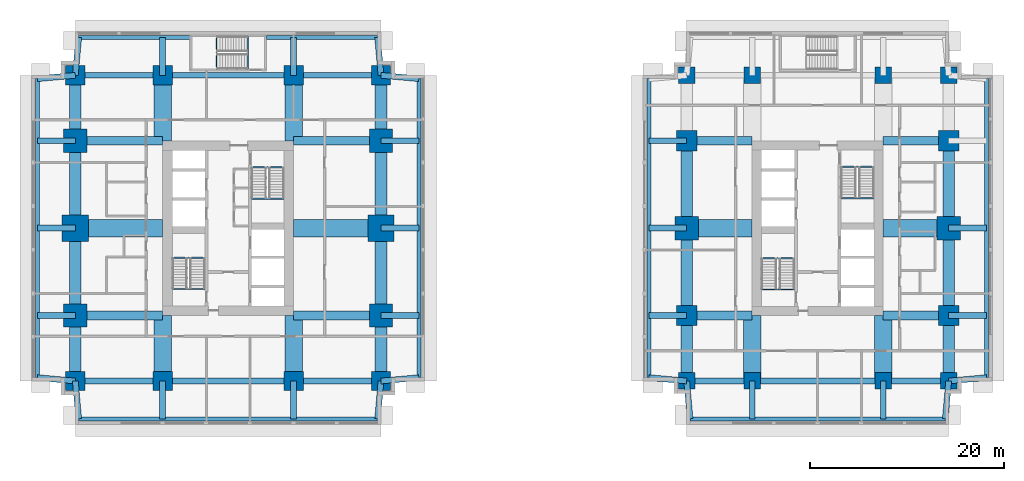
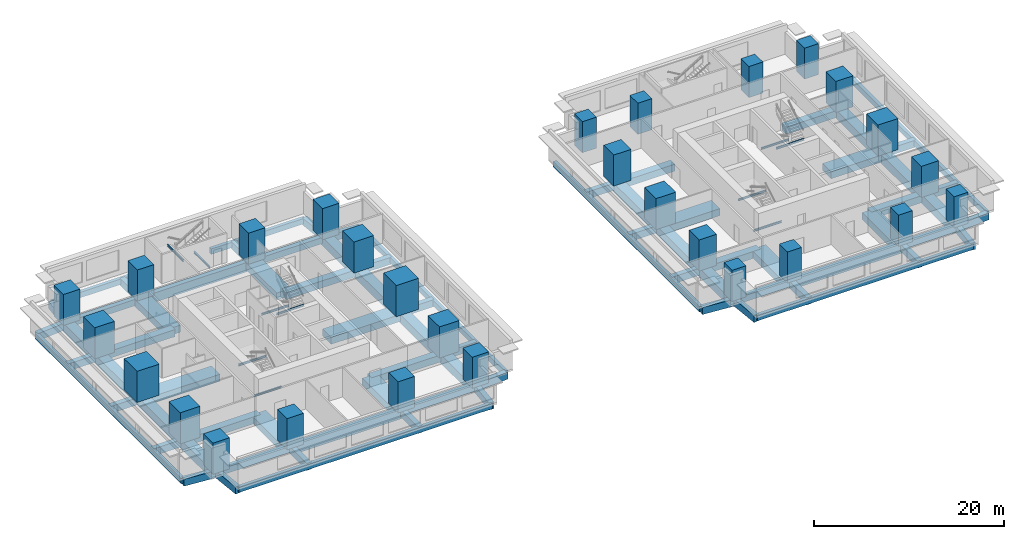
# One storey, part 1 of 11: 88 beams, 28 columns.
"""IFC4 building model written with IfcOpenShell, lengths in metres."""

from ifc_helpers import new_model, si_unit, direction, frame, origin, origin_2d, place, context, subcontext, project, spatial, rectangle, i_section, extrude, material, material_profile, profile_set, type_object, element, save


model = new_model("IFC4")

# Units and contexts
model_context = context("Model", 3, precision=1e-05, world=origin(), true_north=direction((0.0, 1.0)))
body_context = subcontext(model_context, "Body", "Model", "MODEL_VIEW")
ifc_project = project(units=[si_unit("LENGTHUNIT", "METRE"), si_unit("AREAUNIT", "SQUARE_METRE"), si_unit("VOLUMEUNIT", "CUBIC_METRE"), si_unit("PLANEANGLEUNIT", "RADIAN"), si_unit("MASSUNIT", "GRAM", prefix="KILO")], contexts=[model_context])

# Site, building, storey
site_placement = place(None, origin())
site = spatial("IfcSite", under=ifc_project, at=site_placement, CompositionType="ELEMENT")
building_placement = place(site_placement, origin())
building = spatial("IfcBuilding", under=site, at=building_placement, Name="Namib Vertical Campus", CompositionType="ELEMENT")
storey_placement = place(building_placement, frame((0.0, 0.0, 65.0)))
storey = spatial("IfcBuildingStorey", under=building, at=storey_placement, Name="L15", CompositionType="ELEMENT", Elevation=65.0)

# Columns
ifc_material_1 = material(Name="Concrete C60/75", Category="concrete")
ifc_material_profile_1 = material_profile(ifc_material_1, rectangle(XDim=1.699951171875, YDim=1.699951171875, at=origin_2d()))
ifc_profile_set_1 = profile_set([ifc_material_profile_1], Name="Concrete C60/75")
column_type_1 = type_object("IfcColumnType", Name="Column RC 1700x1700", PredefinedType="COLUMN", material=ifc_profile_set_1)
for number, where, z_axis, x_axis, name in (
    (1, (67.5, 4.5, 0.0), (0.0, 0.0, 1.0), (1.0, 0.0, 0.0), "Column C170 L15"),
    (2, (74.25, 4.5, 0.0), (0.0, 0.0, 1.0), (1.0, 0.0, 0.0), "Column C170 L15"),
    (3, (87.75, 4.5, 0.0), (0.0, 0.0, 1.0), (1.0, 0.0, 0.0), "Column C170 L15"),
    (4, (94.5, 4.5, 0.0), (0.0, 0.0, 1.0), (1.0, 0.0, 0.0), "Column C170 L15"),
    (5, (67.5, 36.0, 0.0), (0.0, 0.0, 1.0), (1.0, 0.0, 0.0), "Column C170 L15"),
    (6, (74.25, 36.0, 0.0), (0.0, 0.0, 1.0), (1.0, 0.0, 0.0), "Column C170 L15"),
    (7, (87.75, 36.0, 0.0), (0.0, 0.0, 1.0), (1.0, 0.0, 0.0), "Column C170 L15"),
    (8, (94.5, 36.0, 0.0), (0.0, 0.0, 1.0), (1.0, 0.0, 0.0), "Column C170 L15"),
):
    element("IfcColumn", number, at=place(storey_placement, frame(where, z_axis=z_axis, x_axis=x_axis)), inside=storey, type_object=column_type_1, Name=name, PredefinedType="COLUMN", context=body_context, shape_type="SweptSolid", body=[
        extrude(rectangle(XDim=1.699951171875, YDim=1.699951171875, at=origin_2d()), origin(), (0.0, 0.0, 1.0), 4.0),
    ])
ifc_material_2 = material(Name="Concrete C60/75", Category="concrete")
ifc_material_profile_2 = material_profile(ifc_material_2, rectangle(XDim=2.0, YDim=2.0, at=origin_2d()))
ifc_profile_set_2 = profile_set([ifc_material_profile_2], Name="Concrete C60/75")
column_type_2 = type_object("IfcColumnType", Name="Column RC 2000x2000", PredefinedType="COLUMN", material=ifc_profile_set_2)
for number, where, z_axis, x_axis, name in (
    (9, (4.5, 4.5, 0.0), (0.0, 0.0, 1.0), (1.0, 0.0, 0.0), "Column C200 L15"),
    (10, (13.5, 4.5, 0.0), (0.0, 0.0, 1.0), (1.0, 0.0, 0.0), "Column C200 L15"),
    (11, (27.0, 4.5, 0.0), (0.0, 0.0, 1.0), (1.0, 0.0, 0.0), "Column C200 L15"),
    (12, (36.0, 4.5, 0.0), (0.0, 0.0, 1.0), (1.0, 0.0, 0.0), "Column C200 L15"),
    (13, (4.5, 36.0, 0.0), (0.0, 0.0, 1.0), (1.0, 0.0, 0.0), "Column C200 L15"),
    (14, (13.5, 36.0, 0.0), (0.0, 0.0, 1.0), (1.0, 0.0, 0.0), "Column C200 L15"),
    (15, (27.0, 36.0, 0.0), (0.0, 0.0, 1.0), (1.0, 0.0, 0.0), "Column C200 L15"),
    (16, (36.0, 36.0, 0.0), (0.0, 0.0, 1.0), (1.0, 0.0, 0.0), "Column C200 L15"),
):
    element("IfcColumn", number, at=place(storey_placement, frame(where, z_axis=z_axis, x_axis=x_axis)), inside=storey, type_object=column_type_2, Name=name, PredefinedType="COLUMN", context=body_context, shape_type="SweptSolid", body=[
        extrude(rectangle(XDim=2.0, YDim=2.0, at=origin_2d()), origin(), (0.0, 0.0, 1.0), 4.0),
    ])
ifc_material_3 = material(Name="Concrete C60/75", Category="concrete")
ifc_material_profile_3 = material_profile(ifc_material_3, rectangle(XDim=2.10009765625, YDim=2.10009765625, at=origin_2d()))
ifc_profile_set_3 = profile_set([ifc_material_profile_3], Name="Concrete C60/75")
column_type_3 = type_object("IfcColumnType", Name="Column RC 2100x2100", PredefinedType="COLUMN", material=ifc_profile_set_3)
for number, where, z_axis, x_axis, name in (
    (17, (67.5, 11.25, 0.0), (0.0, 0.0, 1.0), (1.0, 0.0, 0.0), "Column C210 L15"),
    (18, (94.5, 11.25, 0.0), (0.0, 0.0, 1.0), (1.0, 0.0, 0.0), "Column C210 L15"),
    (19, (67.5, 29.25, 0.0), (0.0, 0.0, 1.0), (1.0, 0.0, 0.0), "Column C210 L15"),
    (20, (94.5, 29.25, 0.0), (0.0, 0.0, 1.0), (1.0, 0.0, 0.0), "Column C210 L15"),
):
    element("IfcColumn", number, at=place(storey_placement, frame(where, z_axis=z_axis, x_axis=x_axis)), inside=storey, type_object=column_type_3, Name=name, PredefinedType="COLUMN", context=body_context, shape_type="SweptSolid", body=[
        extrude(rectangle(XDim=2.10009765625, YDim=2.10009765625, at=origin_2d()), origin(), (0.0, 0.0, 1.0), 4.0),
    ])
ifc_material_4 = material(Name="Concrete C60/75", Category="concrete")
ifc_material_profile_4 = material_profile(ifc_material_4, rectangle(XDim=2.39990234375, YDim=2.39990234375, at=origin_2d()))
ifc_profile_set_4 = profile_set([ifc_material_profile_4], Name="Concrete C60/75")
column_type_4 = type_object("IfcColumnType", Name="Column RC 2400x2400", PredefinedType="COLUMN", material=ifc_profile_set_4)
for number, where, z_axis, x_axis, name in (
    (21, (4.5, 11.25, 0.0), (0.0, 0.0, 1.0), (1.0, 0.0, 0.0), "Column C240 L15"),
    (22, (36.0, 11.25, 0.0), (0.0, 0.0, 1.0), (1.0, 0.0, 0.0), "Column C240 L15"),
    (23, (4.5, 29.25, 0.0), (0.0, 0.0, 1.0), (1.0, 0.0, 0.0), "Column C240 L15"),
    (24, (36.0, 29.25, 0.0), (0.0, 0.0, 1.0), (1.0, 0.0, 0.0), "Column C240 L15"),
    (25, (67.5, 20.25, 0.0), (0.0, 0.0, 1.0), (1.0, 0.0, 0.0), "Column C240 L15"),
    (26, (94.5, 20.25, 0.0), (0.0, 0.0, 1.0), (1.0, 0.0, 0.0), "Column C240 L15"),
):
    element("IfcColumn", number, at=place(storey_placement, frame(where, z_axis=z_axis, x_axis=x_axis)), inside=storey, type_object=column_type_4, Name=name, PredefinedType="COLUMN", context=body_context, shape_type="SweptSolid", body=[
        extrude(rectangle(XDim=2.39990234375, YDim=2.39990234375, at=origin_2d()), origin(), (0.0, 0.0, 1.0), 4.0),
    ])
ifc_material_5 = material(Name="Concrete C60/75", Category="concrete")
ifc_material_profile_5 = material_profile(ifc_material_5, rectangle(XDim=2.699951171875, YDim=2.699951171875, at=origin_2d()))
ifc_profile_set_5 = profile_set([ifc_material_profile_5], Name="Concrete C60/75")
column_type_5 = type_object("IfcColumnType", Name="Column RC 2700x2700", PredefinedType="COLUMN", material=ifc_profile_set_5)
for number, where, z_axis, x_axis, name in (
    (27, (4.5, 20.25, 0.0), (0.0, 0.0, 1.0), (1.0, 0.0, 0.0), "Column C270 L15"),
    (28, (36.0, 20.25, 0.0), (0.0, 0.0, 1.0), (1.0, 0.0, 0.0), "Column C270 L15"),
):
    element("IfcColumn", number, at=place(storey_placement, frame(where, z_axis=z_axis, x_axis=x_axis)), inside=storey, type_object=column_type_5, Name=name, PredefinedType="COLUMN", context=body_context, shape_type="SweptSolid", body=[
        extrude(rectangle(XDim=2.699951171875, YDim=2.699951171875, at=origin_2d()), origin(), (0.0, 0.0, 1.0), 4.0),
    ])

# Beams
ifc_material_6 = material(Name="Concrete C40/50", Category="concrete")
ifc_material_profile_6 = material_profile(ifc_material_6, rectangle(XDim=0.60009765625, YDim=0.89990234375, at=origin_2d()))
ifc_profile_set_6 = profile_set([ifc_material_profile_6], Name="Concrete C40/50")
beam_type_1 = type_object("IfcBeamType", Name="Cantilever girder RC 600x900", PredefinedType="BEAM", material=ifc_profile_set_6)
beam_1_placement = place(storey_placement, frame((4.5, 4.5, -0.699951171875), z_axis=(0.089411326146, -0.995994786511, 0.0), x_axis=(0.995994786511, 0.089411326146, 0.0)))
element("IfcBeam", 29, at=beam_1_placement, inside=storey, type_object=beam_type_1, Name="Beam B3 L15", PredefinedType="BEAM", context=body_context, shape_type="SweptSolid", body=[
    extrude(rectangle(XDim=0.60009765625, YDim=0.89990234375, at=origin_2d()), origin(), (0.0, 0.0, 1.0), 3.91552734375),
])
for number, where, z_axis, x_axis, name in (
    (30, (13.5, 4.5, -0.699951171875), (0.0, -1.0, 0.0), (1.0, 0.0, 0.0), "Beam B3 L15"),
    (31, (27.0, 4.5, -0.699951171875), (0.0, -1.0, 0.0), (1.0, 0.0, 0.0), "Beam B3 L15"),
):
    element("IfcBeam", number, at=place(storey_placement, frame(where, z_axis=z_axis, x_axis=x_axis)), inside=storey, type_object=beam_type_1, Name=name, PredefinedType="BEAM", context=body_context, shape_type="SweptSolid", body=[
        extrude(rectangle(XDim=0.60009765625, YDim=0.89990234375, at=origin_2d()), origin(), (0.0, 0.0, 1.0), 3.89990234375),
    ])
for number, where, z_axis, x_axis, name in (
    (32, (36.0, 4.5, -0.699951171875), (-0.089411326146, -0.995994786511, 0.0), (0.995994786511, -0.089411326146, 0.0), "Beam B3 L15"),
    (33, (4.5, 36.0, -0.699951171875), (0.089411326146, 0.995994786511, 0.0), (-0.995994786511, 0.089411326146, 0.0), "Beam B3 L15"),
):
    element("IfcBeam", number, at=place(storey_placement, frame(where, z_axis=z_axis, x_axis=x_axis)), inside=storey, type_object=beam_type_1, Name=name, PredefinedType="BEAM", context=body_context, shape_type="SweptSolid", body=[
        extrude(rectangle(XDim=0.60009765625, YDim=0.89990234375, at=origin_2d()), origin(), (0.0, 0.0, 1.0), 3.91552734375),
    ])
for number, where, z_axis, x_axis, name in (
    (34, (13.5, 36.0, -0.699951171875), (0.0, 1.0, 0.0), (-1.0, 0.0, 0.0), "Beam B3 L15"),
    (35, (27.0, 36.0, -0.699951171875), (0.0, 1.0, 0.0), (-1.0, 0.0, 0.0), "Beam B3 L15"),
):
    element("IfcBeam", number, at=place(storey_placement, frame(where, z_axis=z_axis, x_axis=x_axis)), inside=storey, type_object=beam_type_1, Name=name, PredefinedType="BEAM", context=body_context, shape_type="SweptSolid", body=[
        extrude(rectangle(XDim=0.60009765625, YDim=0.89990234375, at=origin_2d()), origin(), (0.0, 0.0, 1.0), 3.89990234375),
    ])
for number, where, z_axis, x_axis, name in (
    (36, (36.0, 36.0, -0.699951171875), (-0.089411326146, 0.995994786511, 0.0), (-0.995994786511, -0.089411326146, 0.0), "Beam B3 L15"),
    (37, (4.5, 4.5, -0.699951171875), (-0.995994786511, 0.089411326146, 0.0), (-0.089411326146, -0.995994786511, 0.0), "Beam B3 L15"),
):
    element("IfcBeam", number, at=place(storey_placement, frame(where, z_axis=z_axis, x_axis=x_axis)), inside=storey, type_object=beam_type_1, Name=name, PredefinedType="BEAM", context=body_context, shape_type="SweptSolid", body=[
        extrude(rectangle(XDim=0.60009765625, YDim=0.89990234375, at=origin_2d()), origin(), (0.0, 0.0, 1.0), 3.91552734375),
    ])
for number, where, z_axis, x_axis, name in (
    (38, (4.5, 11.25, -0.699951171875), (-1.0, 0.0, 0.0), (0.0, -1.0, 0.0), "Beam B3 L15"),
    (39, (4.5, 20.25, -0.699951171875), (-1.0, 0.0, 0.0), (0.0, -1.0, 0.0), "Beam B3 L15"),
    (40, (4.5, 29.25, -0.699951171875), (-1.0, 0.0, 0.0), (0.0, -1.0, 0.0), "Beam B3 L15"),
):
    element("IfcBeam", number, at=place(storey_placement, frame(where, z_axis=z_axis, x_axis=x_axis)), inside=storey, type_object=beam_type_1, Name=name, PredefinedType="BEAM", context=body_context, shape_type="SweptSolid", body=[
        extrude(rectangle(XDim=0.60009765625, YDim=0.89990234375, at=origin_2d()), origin(), (0.0, 0.0, 1.0), 3.89990234375),
    ])
for number, where, z_axis, x_axis, name in (
    (41, (4.5, 36.0, -0.699951171875), (-0.995994786511, -0.089411326146, 0.0), (0.089411326146, -0.995994786511, 0.0), "Beam B3 L15"),
    (42, (36.0, 4.5, -0.699951171875), (0.995994786511, 0.089411326146, 0.0), (-0.089411326146, 0.995994786511, 0.0), "Beam B3 L15"),
):
    element("IfcBeam", number, at=place(storey_placement, frame(where, z_axis=z_axis, x_axis=x_axis)), inside=storey, type_object=beam_type_1, Name=name, PredefinedType="BEAM", context=body_context, shape_type="SweptSolid", body=[
        extrude(rectangle(XDim=0.60009765625, YDim=0.89990234375, at=origin_2d()), origin(), (0.0, 0.0, 1.0), 3.91552734375),
    ])
for number, where, z_axis, x_axis, name in (
    (43, (36.0, 11.25, -0.699951171875), (1.0, 0.0, 0.0), (0.0, 1.0, 0.0), "Beam B3 L15"),
    (44, (36.0, 20.25, -0.699951171875), (1.0, 0.0, 0.0), (0.0, 1.0, 0.0), "Beam B3 L15"),
    (45, (36.0, 29.25, -0.699951171875), (1.0, 0.0, 0.0), (0.0, 1.0, 0.0), "Beam B3 L15"),
):
    element("IfcBeam", number, at=place(storey_placement, frame(where, z_axis=z_axis, x_axis=x_axis)), inside=storey, type_object=beam_type_1, Name=name, PredefinedType="BEAM", context=body_context, shape_type="SweptSolid", body=[
        extrude(rectangle(XDim=0.60009765625, YDim=0.89990234375, at=origin_2d()), origin(), (0.0, 0.0, 1.0), 3.89990234375),
    ])
for number, where, z_axis, x_axis, name in (
    (46, (36.0, 36.0, -0.699951171875), (0.995994786511, -0.089411326146, 0.0), (0.089411326146, 0.995994786511, 0.0), "Beam B3 L15"),
    (47, (67.5, 4.5, -0.699951171875), (0.089411326146, -0.995994786511, 0.0), (0.995994786511, 0.089411326146, 0.0), "Beam B3 L15"),
):
    element("IfcBeam", number, at=place(storey_placement, frame(where, z_axis=z_axis, x_axis=x_axis)), inside=storey, type_object=beam_type_1, Name=name, PredefinedType="BEAM", context=body_context, shape_type="SweptSolid", body=[
        extrude(rectangle(XDim=0.60009765625, YDim=0.89990234375, at=origin_2d()), origin(), (0.0, 0.0, 1.0), 3.91552734375),
    ])
for number, where, z_axis, x_axis, name in (
    (48, (74.25, 4.5, -0.699951171875), (0.0, -1.0, 0.0), (1.0, 0.0, 0.0), "Beam B3 L15"),
    (49, (87.75, 4.5, -0.699951171875), (0.0, -1.0, 0.0), (1.0, 0.0, 0.0), "Beam B3 L15"),
):
    element("IfcBeam", number, at=place(storey_placement, frame(where, z_axis=z_axis, x_axis=x_axis)), inside=storey, type_object=beam_type_1, Name=name, PredefinedType="BEAM", context=body_context, shape_type="SweptSolid", body=[
        extrude(rectangle(XDim=0.60009765625, YDim=0.89990234375, at=origin_2d()), origin(), (0.0, 0.0, 1.0), 3.89990234375),
    ])
for number, where, z_axis, x_axis, name in (
    (50, (94.5, 4.5, -0.699951171875), (-0.089411326146, -0.995994786511, 0.0), (0.995994786511, -0.089411326146, 0.0), "Beam B3 L15"),
    (51, (67.5, 4.5, -0.699951171875), (-0.995994786511, 0.089411326146, 0.0), (-0.089411326146, -0.995994786511, 0.0), "Beam B3 L15"),
):
    element("IfcBeam", number, at=place(storey_placement, frame(where, z_axis=z_axis, x_axis=x_axis)), inside=storey, type_object=beam_type_1, Name=name, PredefinedType="BEAM", context=body_context, shape_type="SweptSolid", body=[
        extrude(rectangle(XDim=0.60009765625, YDim=0.89990234375, at=origin_2d()), origin(), (0.0, 0.0, 1.0), 3.91552734375),
    ])
for number, where, z_axis, x_axis, name in (
    (52, (67.5, 11.25, -0.699951171875), (-1.0, 0.0, 0.0), (0.0, -1.0, 0.0), "Beam B3 L15"),
    (53, (67.5, 20.25, -0.699951171875), (-1.0, 0.0, 0.0), (0.0, -1.0, 0.0), "Beam B3 L15"),
    (54, (67.5, 29.25, -0.699951171875), (-1.0, 0.0, 0.0), (0.0, -1.0, 0.0), "Beam B3 L15"),
):
    element("IfcBeam", number, at=place(storey_placement, frame(where, z_axis=z_axis, x_axis=x_axis)), inside=storey, type_object=beam_type_1, Name=name, PredefinedType="BEAM", context=body_context, shape_type="SweptSolid", body=[
        extrude(rectangle(XDim=0.60009765625, YDim=0.89990234375, at=origin_2d()), origin(), (0.0, 0.0, 1.0), 3.89990234375),
    ])
beam_2_placement = place(storey_placement, frame((94.5, 4.5, -0.699951171875), z_axis=(0.995994786511, 0.089411326146, 0.0), x_axis=(-0.089411326146, 0.995994786511, 0.0)))
element("IfcBeam", 55, at=beam_2_placement, inside=storey, type_object=beam_type_1, Name="Beam B3 L15", PredefinedType="BEAM", context=body_context, shape_type="SweptSolid", body=[
    extrude(rectangle(XDim=0.60009765625, YDim=0.89990234375, at=origin_2d()), origin(), (0.0, 0.0, 1.0), 3.91552734375),
])
for number, where, z_axis, x_axis, name in (
    (56, (94.5, 11.25, -0.699951171875), (1.0, 0.0, 0.0), (0.0, 1.0, 0.0), "Beam B3 L15"),
    (57, (94.5, 20.25, -0.699951171875), (1.0, 0.0, 0.0), (0.0, 1.0, 0.0), "Beam B3 L15"),
):
    element("IfcBeam", number, at=place(storey_placement, frame(where, z_axis=z_axis, x_axis=x_axis)), inside=storey, type_object=beam_type_1, Name=name, PredefinedType="BEAM", context=body_context, shape_type="SweptSolid", body=[
        extrude(rectangle(XDim=0.60009765625, YDim=0.89990234375, at=origin_2d()), origin(), (0.0, 0.0, 1.0), 3.89990234375),
    ])
ifc_material_7 = material(Name="Concrete C40/50", Category="concrete")
ifc_material_profile_7 = material_profile(ifc_material_7, rectangle(XDim=0.39990234375, YDim=0.699951171875, at=origin_2d()))
ifc_profile_set_7 = profile_set([ifc_material_profile_7], Name="Concrete C40/50")
beam_type_2 = type_object("IfcBeamType", Name="Edge beam RC 400x700", PredefinedType="SPANDREL", material=ifc_profile_set_7)
beam_3_placement = place(storey_placement, frame((4.85009765625, 0.60009765625, -0.60009765625), z_axis=(1.0, 0.0, 0.0), x_axis=(0.0, 1.0, 0.0)))
element("IfcBeam", 58, at=beam_3_placement, inside=storey, type_object=beam_type_2, Name="Beam B4 L15", PredefinedType="SPANDREL", context=body_context, shape_type="SweptSolid", body=[
    extrude(rectangle(XDim=0.39990234375, YDim=0.699951171875, at=origin_2d()), origin(), (0.0, 0.0, 1.0), 30.7998046875),
])
for number, where, z_axis, x_axis, name in (
    (59, (4.85009765625, 39.89990234375, -0.60009765625), (1.0, 0.0, 0.0), (0.0, 1.0, 0.0), "Beam B4 L15"),
    (60, (24.199951171875, 39.89990234375, -0.60009765625), (1.0, 0.0, 0.0), (0.0, 1.0, 0.0), "Beam B4 L15"),
):
    element("IfcBeam", number, at=place(storey_placement, frame(where, z_axis=z_axis, x_axis=x_axis)), inside=storey, type_object=beam_type_2, Name=name, PredefinedType="SPANDREL", context=body_context, shape_type="SweptSolid", body=[
        extrude(rectangle(XDim=0.39990234375, YDim=0.699951171875, at=origin_2d()), origin(), (0.0, 0.0, 1.0), 11.449951171875),
    ])
for number, where, z_axis, x_axis, name in (
    (61, (0.60009765625, 4.85009765625, -0.60009765625), (0.0, 1.0, 0.0), (-1.0, 0.0, 0.0), "Beam B4 L15"),
    (62, (39.89990234375, 4.85009765625, -0.60009765625), (0.0, 1.0, 0.0), (-1.0, 0.0, 0.0), "Beam B4 L15"),
):
    element("IfcBeam", number, at=place(storey_placement, frame(where, z_axis=z_axis, x_axis=x_axis)), inside=storey, type_object=beam_type_2, Name=name, PredefinedType="SPANDREL", context=body_context, shape_type="SweptSolid", body=[
        extrude(rectangle(XDim=0.39990234375, YDim=0.699951171875, at=origin_2d()), origin(), (0.0, 0.0, 1.0), 30.7998046875),
    ])
beam_4_placement = place(storey_placement, frame((67.85009765625, 0.60009765625, -0.60009765625), z_axis=(1.0, 0.0, 0.0), x_axis=(0.0, 1.0, 0.0)))
element("IfcBeam", 63, at=beam_4_placement, inside=storey, type_object=beam_type_2, Name="Beam B4 L15", PredefinedType="SPANDREL", context=body_context, shape_type="SweptSolid", body=[
    extrude(rectangle(XDim=0.39990234375, YDim=0.699951171875, at=origin_2d()), origin(), (0.0, 0.0, 1.0), 26.2998046875),
])
for number, where, z_axis, x_axis, name in (
    (64, (63.60009765625, 4.85009765625, -0.60009765625), (0.0, 1.0, 0.0), (-1.0, 0.0, 0.0), "Beam B4 L15"),
    (65, (98.39990234375, 4.85009765625, -0.60009765625), (0.0, 1.0, 0.0), (-1.0, 0.0, 0.0), "Beam B4 L15"),
):
    element("IfcBeam", number, at=place(storey_placement, frame(where, z_axis=z_axis, x_axis=x_axis)), inside=storey, type_object=beam_type_2, Name=name, PredefinedType="SPANDREL", context=body_context, shape_type="SweptSolid", body=[
        extrude(rectangle(XDim=0.39990234375, YDim=0.699951171875, at=origin_2d()), origin(), (0.0, 0.0, 1.0), 30.7998046875),
    ])
ifc_material_8 = material(Name="Concrete C40/50", Category="concrete")
ifc_material_profile_8 = material_profile(ifc_material_8, rectangle(XDim=0.89990234375, YDim=0.89990234375, at=origin_2d()))
ifc_profile_set_8 = profile_set([ifc_material_profile_8], Name="Concrete C40/50")
beam_type_3 = type_object("IfcBeamType", Name="Face girder RC 900x900", PredefinedType="BEAM", material=ifc_profile_set_8)
for number, where, z_axis, x_axis, name in (
    (66, (4.5, 11.25, -0.699951171875), (1.0, 0.0, 0.0), (0.0, 1.0, 0.0), "Beam B10 L15"),
    (67, (36.0, 11.25, -0.699951171875), (-1.0, 0.0, 0.0), (0.0, -1.0, 0.0), "Beam B10 L15"),
    (68, (4.5, 29.25, -0.699951171875), (1.0, 0.0, 0.0), (0.0, 1.0, 0.0), "Beam B10 L15"),
    (69, (36.0, 29.25, -0.699951171875), (-1.0, 0.0, 0.0), (0.0, -1.0, 0.0), "Beam B10 L15"),
):
    element("IfcBeam", number, at=place(storey_placement, frame(where, z_axis=z_axis, x_axis=x_axis)), inside=storey, type_object=beam_type_3, Name=name, PredefinedType="BEAM", context=body_context, shape_type="SweptSolid", body=[
        extrude(rectangle(XDim=0.89990234375, YDim=0.89990234375, at=origin_2d()), origin(), (0.0, 0.0, 1.0), 9.0),
    ])
for number, where, z_axis, x_axis, name in (
    (70, (67.5, 11.25, -0.699951171875), (1.0, 0.0, 0.0), (0.0, 1.0, 0.0), "Beam B10 L15"),
    (71, (94.5, 11.25, -0.699951171875), (-1.0, 0.0, 0.0), (0.0, -1.0, 0.0), "Beam B10 L15"),
    (72, (67.5, 29.25, -0.699951171875), (1.0, 0.0, 0.0), (0.0, 1.0, 0.0), "Beam B10 L15"),
    (73, (94.5, 29.25, -0.699951171875), (-1.0, 0.0, 0.0), (0.0, -1.0, 0.0), "Beam B10 L15"),
):
    element("IfcBeam", number, at=place(storey_placement, frame(where, z_axis=z_axis, x_axis=x_axis)), inside=storey, type_object=beam_type_3, Name=name, PredefinedType="BEAM", context=body_context, shape_type="SweptSolid", body=[
        extrude(rectangle(XDim=0.89990234375, YDim=0.89990234375, at=origin_2d()), origin(), (0.0, 0.0, 1.0), 6.75),
    ])
ifc_material_9 = material(Name="Concrete C40/50", Category="concrete")
ifc_material_profile_9 = material_profile(ifc_material_9, rectangle(XDim=1.199951171875, YDim=1.10009765625, at=origin_2d()))
ifc_profile_set_9 = profile_set([ifc_material_profile_9], Name="Concrete C40/50")
beam_type_4 = type_object("IfcBeamType", Name="Face ring beam RC 1200x1100", PredefinedType="BEAM", material=ifc_profile_set_9)
beam_5_placement = place(storey_placement, frame((4.5, 4.5, -0.800048828125), z_axis=(0.0, 1.0, 0.0), x_axis=(-1.0, 0.0, 0.0)))
element("IfcBeam", 74, at=beam_5_placement, inside=storey, type_object=beam_type_4, Name="Beam B11 L15", PredefinedType="BEAM", context=body_context, shape_type="SweptSolid", body=[
    extrude(rectangle(XDim=1.199951171875, YDim=1.10009765625, at=origin_2d()), origin(), (0.0, 0.0, 1.0), 6.75),
])
for number, where, z_axis, x_axis, name in (
    (75, (4.5, 11.25, -0.800048828125), (0.0, 1.0, 0.0), (-1.0, 0.0, 0.0), "Beam B11 L15"),
    (76, (4.5, 20.25, -0.800048828125), (0.0, 1.0, 0.0), (-1.0, 0.0, 0.0), "Beam B11 L15"),
):
    element("IfcBeam", number, at=place(storey_placement, frame(where, z_axis=z_axis, x_axis=x_axis)), inside=storey, type_object=beam_type_4, Name=name, PredefinedType="BEAM", context=body_context, shape_type="SweptSolid", body=[
        extrude(rectangle(XDim=1.199951171875, YDim=1.10009765625, at=origin_2d()), origin(), (0.0, 0.0, 1.0), 9.0),
    ])
for number, where, z_axis, x_axis, name in (
    (77, (4.5, 29.25, -0.800048828125), (0.0, 1.0, 0.0), (-1.0, 0.0, 0.0), "Beam B11 L15"),
    (78, (36.0, 4.5, -0.800048828125), (0.0, 1.0, 0.0), (-1.0, 0.0, 0.0), "Beam B11 L15"),
):
    element("IfcBeam", number, at=place(storey_placement, frame(where, z_axis=z_axis, x_axis=x_axis)), inside=storey, type_object=beam_type_4, Name=name, PredefinedType="BEAM", context=body_context, shape_type="SweptSolid", body=[
        extrude(rectangle(XDim=1.199951171875, YDim=1.10009765625, at=origin_2d()), origin(), (0.0, 0.0, 1.0), 6.75),
    ])
for number, where, z_axis, x_axis, name in (
    (79, (36.0, 11.25, -0.800048828125), (0.0, 1.0, 0.0), (-1.0, 0.0, 0.0), "Beam B11 L15"),
    (80, (36.0, 20.25, -0.800048828125), (0.0, 1.0, 0.0), (-1.0, 0.0, 0.0), "Beam B11 L15"),
):
    element("IfcBeam", number, at=place(storey_placement, frame(where, z_axis=z_axis, x_axis=x_axis)), inside=storey, type_object=beam_type_4, Name=name, PredefinedType="BEAM", context=body_context, shape_type="SweptSolid", body=[
        extrude(rectangle(XDim=1.199951171875, YDim=1.10009765625, at=origin_2d()), origin(), (0.0, 0.0, 1.0), 9.0),
    ])
for number, where, z_axis, x_axis, name in (
    (81, (36.0, 29.25, -0.800048828125), (0.0, 1.0, 0.0), (-1.0, 0.0, 0.0), "Beam B11 L15"),
    (82, (67.5, 4.5, -0.800048828125), (0.0, 1.0, 0.0), (-1.0, 0.0, 0.0), "Beam B11 L15"),
):
    element("IfcBeam", number, at=place(storey_placement, frame(where, z_axis=z_axis, x_axis=x_axis)), inside=storey, type_object=beam_type_4, Name=name, PredefinedType="BEAM", context=body_context, shape_type="SweptSolid", body=[
        extrude(rectangle(XDim=1.199951171875, YDim=1.10009765625, at=origin_2d()), origin(), (0.0, 0.0, 1.0), 6.75),
    ])
for number, where, z_axis, x_axis, name in (
    (83, (67.5, 11.25, -0.800048828125), (0.0, 1.0, 0.0), (-1.0, 0.0, 0.0), "Beam B11 L15"),
    (84, (67.5, 20.25, -0.800048828125), (0.0, 1.0, 0.0), (-1.0, 0.0, 0.0), "Beam B11 L15"),
):
    element("IfcBeam", number, at=place(storey_placement, frame(where, z_axis=z_axis, x_axis=x_axis)), inside=storey, type_object=beam_type_4, Name=name, PredefinedType="BEAM", context=body_context, shape_type="SweptSolid", body=[
        extrude(rectangle(XDim=1.199951171875, YDim=1.10009765625, at=origin_2d()), origin(), (0.0, 0.0, 1.0), 9.0),
    ])
beam_6_placement = place(storey_placement, frame((94.5, 4.5, -0.800048828125), z_axis=(0.0, 1.0, 0.0), x_axis=(-1.0, 0.0, 0.0)))
element("IfcBeam", 85, at=beam_6_placement, inside=storey, type_object=beam_type_4, Name="Beam B11 L15", PredefinedType="BEAM", context=body_context, shape_type="SweptSolid", body=[
    extrude(rectangle(XDim=1.199951171875, YDim=1.10009765625, at=origin_2d()), origin(), (0.0, 0.0, 1.0), 6.75),
])
for number, where, z_axis, x_axis, name in (
    (86, (94.5, 11.25, -0.800048828125), (0.0, 1.0, 0.0), (-1.0, 0.0, 0.0), "Beam B11 L15"),
    (87, (94.5, 20.25, -0.800048828125), (0.0, 1.0, 0.0), (-1.0, 0.0, 0.0), "Beam B11 L15"),
):
    element("IfcBeam", number, at=place(storey_placement, frame(where, z_axis=z_axis, x_axis=x_axis)), inside=storey, type_object=beam_type_4, Name=name, PredefinedType="BEAM", context=body_context, shape_type="SweptSolid", body=[
        extrude(rectangle(XDim=1.199951171875, YDim=1.10009765625, at=origin_2d()), origin(), (0.0, 0.0, 1.0), 9.0),
    ])
ifc_material_10 = material(Name="Steel S355JR", Category="steel")
ifc_material_profile_10 = material_profile(ifc_material_10, i_section(OverallWidth=0.14599609375, OverallDepth=0.25146484375, WebThickness=0.006103515625, FlangeThickness=0.008544921875, FilletRadius=0.007568359375, at=origin_2d()))
ifc_profile_set_10 = profile_set([ifc_material_profile_10], Name="Steel S355JR")
beam_type_5 = type_object("IfcBeamType", Name="Landing trimmer UB 254x146x31", PredefinedType="BEAM", material=ifc_profile_set_10)
for number, where, z_axis, x_axis, name in (
    (88, (14.5, 13.97705078125, -0.125732421875), (1.0, 0.0, 0.0), (0.0, 1.0, 0.0), "Landing trimmer LT1 A-S1 L15 1"),
    (89, (14.5, 17.203125, 1.874267578125), (1.0, 0.0, 0.0), (0.0, 1.0, 0.0), "Landing trimmer LT1 A-S1 L15 2"),
    (90, (22.64990234375, 26.52294921875, -0.125732421875), (1.0, 0.0, 0.0), (0.0, 1.0, 0.0), "Landing trimmer LT1 A-S2 L15 1"),
    (91, (22.64990234375, 23.296875, 1.874267578125), (1.0, 0.0, 0.0), (0.0, 1.0, 0.0), "Landing trimmer LT1 A-S2 L15 2"),
):
    element("IfcBeam", number, at=place(storey_placement, frame(where, z_axis=z_axis, x_axis=x_axis)), inside=storey, type_object=beam_type_5, Name=name, PredefinedType="BEAM", context=body_context, shape_type="SweptSolid", body=[
        extrude(i_section(OverallWidth=0.14599609375, OverallDepth=0.25146484375, WebThickness=0.006103515625, FlangeThickness=0.008544921875, FilletRadius=0.007568359375, at=origin_2d()), origin(), (0.0, 0.0, 1.0), 3.35009765625),
    ])
for number, where, z_axis, x_axis, name in (
    (92, (75.199951171875, 13.927001953125, -0.125732421875), (1.0, 0.0, 0.0), (0.0, 1.0, 0.0), "Landing trimmer LT1 B-S1 L15 1"),
    (93, (75.199951171875, 17.153076171875, 1.874267578125), (1.0, 0.0, 0.0), (0.0, 1.0, 0.0), "Landing trimmer LT1 B-S1 L15 2"),
    (94, (83.39990234375, 26.572998046875, -0.125732421875), (1.0, 0.0, 0.0), (0.0, 1.0, 0.0), "Landing trimmer LT1 B-S2 L15 1"),
    (95, (83.39990234375, 23.346923828125, 1.874267578125), (1.0, 0.0, 0.0), (0.0, 1.0, 0.0), "Landing trimmer LT1 B-S2 L15 2"),
):
    element("IfcBeam", number, at=place(storey_placement, frame(where, z_axis=z_axis, x_axis=x_axis)), inside=storey, type_object=beam_type_5, Name=name, PredefinedType="BEAM", context=body_context, shape_type="SweptSolid", body=[
        extrude(i_section(OverallWidth=0.14599609375, OverallDepth=0.25146484375, WebThickness=0.006103515625, FlangeThickness=0.008544921875, FilletRadius=0.007568359375, at=origin_2d()), origin(), (0.0, 0.0, 1.0), 3.400146484375),
    ])
for number, where, z_axis, x_axis, name in (
    (96, (22.27294921875, 36.64990234375, -0.125732421875), (0.0, 1.0, 0.0), (-1.0, 0.0, 0.0), "Landing trimmer LT1 A-S3 L15 1"),
    (97, (19.046875, 36.64990234375, 1.874267578125), (0.0, 1.0, 0.0), (-1.0, 0.0, 0.0), "Landing trimmer LT1 A-S3 L15 2"),
):
    element("IfcBeam", number, at=place(storey_placement, frame(where, z_axis=z_axis, x_axis=x_axis)), inside=storey, type_object=beam_type_5, Name=name, PredefinedType="BEAM", context=body_context, shape_type="SweptSolid", body=[
        extrude(i_section(OverallWidth=0.14599609375, OverallDepth=0.25146484375, WebThickness=0.006103515625, FlangeThickness=0.008544921875, FilletRadius=0.007568359375, at=origin_2d()), origin(), (0.0, 0.0, 1.0), 3.35009765625),
    ])
ifc_material_11 = material(Name="Concrete C40/50", Category="concrete")
ifc_material_profile_11 = material_profile(ifc_material_11, rectangle(XDim=0.60009765625, YDim=1.199951171875, at=origin_2d()))
ifc_profile_set_11 = profile_set([ifc_material_profile_11], Name="Concrete C40/50")
beam_type_6 = type_object("IfcBeamType", Name="Long-span ring beam RC 600x1200", PredefinedType="BEAM", material=ifc_profile_set_11)
for number, where, z_axis, x_axis, name in (
    (98, (13.5, 4.5, -0.85009765625), (1.0, 0.0, 0.0), (0.0, 1.0, 0.0), "Beam B9 L15"),
    (99, (13.5, 36.0, -0.85009765625), (1.0, 0.0, 0.0), (0.0, 1.0, 0.0), "Beam B9 L15"),
    (100, (74.25, 4.5, -0.85009765625), (1.0, 0.0, 0.0), (0.0, 1.0, 0.0), "Beam B9 L15"),
):
    element("IfcBeam", number, at=place(storey_placement, frame(where, z_axis=z_axis, x_axis=x_axis)), inside=storey, type_object=beam_type_6, Name=name, PredefinedType="BEAM", context=body_context, shape_type="SweptSolid", body=[
        extrude(rectangle(XDim=0.60009765625, YDim=1.199951171875, at=origin_2d()), origin(), (0.0, 0.0, 1.0), 13.5),
    ])
ifc_material_12 = material(Name="Concrete C40/50", Category="concrete")
ifc_material_profile_12 = material_profile(ifc_material_12, rectangle(XDim=1.800048828125, YDim=0.89990234375, at=origin_2d()))
ifc_profile_set_12 = profile_set([ifc_material_profile_12], Name="Concrete C40/50")
beam_type_7 = type_object("IfcBeamType", Name="Outrigger line girder RC 1800x900", PredefinedType="BEAM", material=ifc_profile_set_12)
for number, where, z_axis, x_axis, name in (
    (101, (13.5, 4.5, -0.699951171875), (0.0, 1.0, 0.0), (-1.0, 0.0, 0.0), "Beam B12 L15"),
    (102, (13.5, 36.0, -0.699951171875), (0.0, -1.0, 0.0), (1.0, 0.0, 0.0), "Beam B12 L15"),
    (103, (27.0, 4.5, -0.699951171875), (0.0, 1.0, 0.0), (-1.0, 0.0, 0.0), "Beam B12 L15"),
    (104, (27.0, 36.0, -0.699951171875), (0.0, -1.0, 0.0), (1.0, 0.0, 0.0), "Beam B12 L15"),
):
    element("IfcBeam", number, at=place(storey_placement, frame(where, z_axis=z_axis, x_axis=x_axis)), inside=storey, type_object=beam_type_7, Name=name, PredefinedType="BEAM", context=body_context, shape_type="SweptSolid", body=[
        extrude(rectangle(XDim=1.800048828125, YDim=0.89990234375, at=origin_2d()), origin(), (0.0, 0.0, 1.0), 6.75),
    ])
for number, where, z_axis, x_axis, name in (
    (105, (4.5, 20.25, -0.699951171875), (1.0, 0.0, 0.0), (0.0, 1.0, 0.0), "Beam B12 L15"),
    (106, (36.0, 20.25, -0.699951171875), (-1.0, 0.0, 0.0), (0.0, -1.0, 0.0), "Beam B12 L15"),
):
    element("IfcBeam", number, at=place(storey_placement, frame(where, z_axis=z_axis, x_axis=x_axis)), inside=storey, type_object=beam_type_7, Name=name, PredefinedType="BEAM", context=body_context, shape_type="SweptSolid", body=[
        extrude(rectangle(XDim=1.800048828125, YDim=0.89990234375, at=origin_2d()), origin(), (0.0, 0.0, 1.0), 9.0),
    ])
for number, where, z_axis, x_axis, name in (
    (107, (74.25, 4.5, -0.699951171875), (0.0, 1.0, 0.0), (-1.0, 0.0, 0.0), "Beam B12 L15"),
    (108, (87.75, 4.5, -0.699951171875), (0.0, 1.0, 0.0), (-1.0, 0.0, 0.0), "Beam B12 L15"),
    (109, (67.5, 20.25, -0.699951171875), (1.0, 0.0, 0.0), (0.0, 1.0, 0.0), "Beam B12 L15"),
    (110, (94.5, 20.25, -0.699951171875), (-1.0, 0.0, 0.0), (0.0, -1.0, 0.0), "Beam B12 L15"),
):
    element("IfcBeam", number, at=place(storey_placement, frame(where, z_axis=z_axis, x_axis=x_axis)), inside=storey, type_object=beam_type_7, Name=name, PredefinedType="BEAM", context=body_context, shape_type="SweptSolid", body=[
        extrude(rectangle(XDim=1.800048828125, YDim=0.89990234375, at=origin_2d()), origin(), (0.0, 0.0, 1.0), 6.75),
    ])
ifc_material_13 = material(Name="Concrete C40/50", Category="concrete")
ifc_material_profile_13 = material_profile(ifc_material_13, rectangle(XDim=0.60009765625, YDim=0.800048828125, at=origin_2d()))
ifc_profile_set_13 = profile_set([ifc_material_profile_13], Name="Concrete C40/50")
beam_type_8 = type_object("IfcBeamType", Name="Ring beam RC 600x800", PredefinedType="BEAM", material=ifc_profile_set_13)
for number, where, z_axis, x_axis, name in (
    (111, (4.5, 4.5, -0.64990234375), (1.0, 0.0, 0.0), (0.0, 1.0, 0.0), "Beam B1 L15"),
    (112, (27.0, 4.5, -0.64990234375), (1.0, 0.0, 0.0), (0.0, 1.0, 0.0), "Beam B1 L15"),
    (113, (4.5, 36.0, -0.64990234375), (1.0, 0.0, 0.0), (0.0, 1.0, 0.0), "Beam B1 L15"),
    (114, (27.0, 36.0, -0.64990234375), (1.0, 0.0, 0.0), (0.0, 1.0, 0.0), "Beam B1 L15"),
):
    element("IfcBeam", number, at=place(storey_placement, frame(where, z_axis=z_axis, x_axis=x_axis)), inside=storey, type_object=beam_type_8, Name=name, PredefinedType="BEAM", context=body_context, shape_type="SweptSolid", body=[
        extrude(rectangle(XDim=0.60009765625, YDim=0.800048828125, at=origin_2d()), origin(), (0.0, 0.0, 1.0), 9.0),
    ])
for number, where, z_axis, x_axis, name in (
    (115, (67.5, 4.5, -0.64990234375), (1.0, 0.0, 0.0), (0.0, 1.0, 0.0), "Beam B1 L15"),
    (116, (87.75, 4.5, -0.64990234375), (1.0, 0.0, 0.0), (0.0, 1.0, 0.0), "Beam B1 L15"),
):
    element("IfcBeam", number, at=place(storey_placement, frame(where, z_axis=z_axis, x_axis=x_axis)), inside=storey, type_object=beam_type_8, Name=name, PredefinedType="BEAM", context=body_context, shape_type="SweptSolid", body=[
        extrude(rectangle(XDim=0.60009765625, YDim=0.800048828125, at=origin_2d()), origin(), (0.0, 0.0, 1.0), 6.75),
    ])

save(model, "model.ifc")
